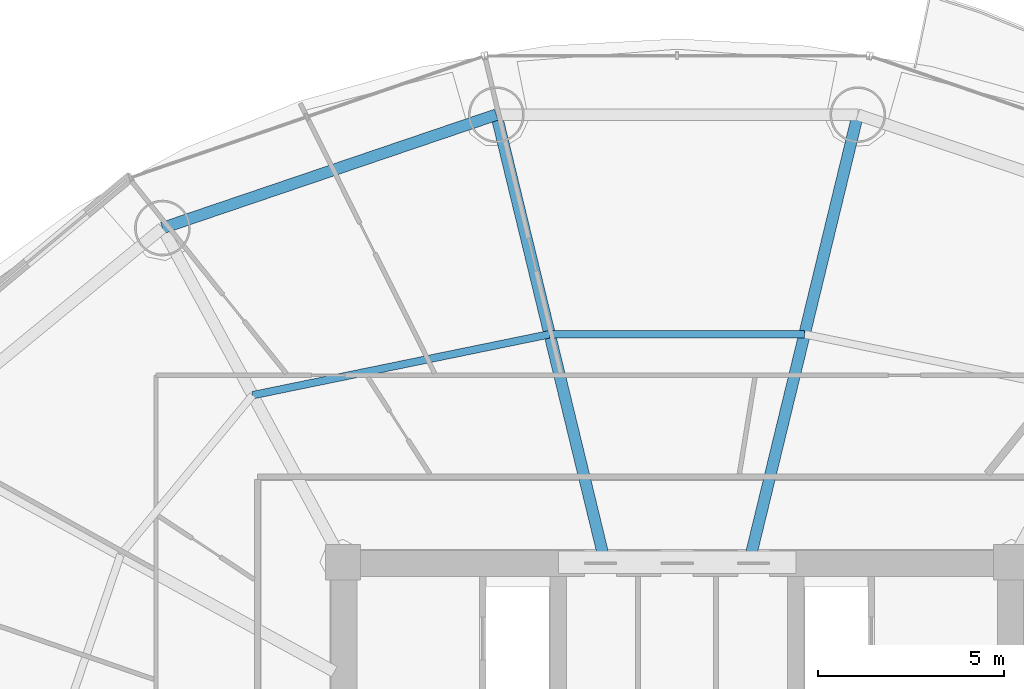
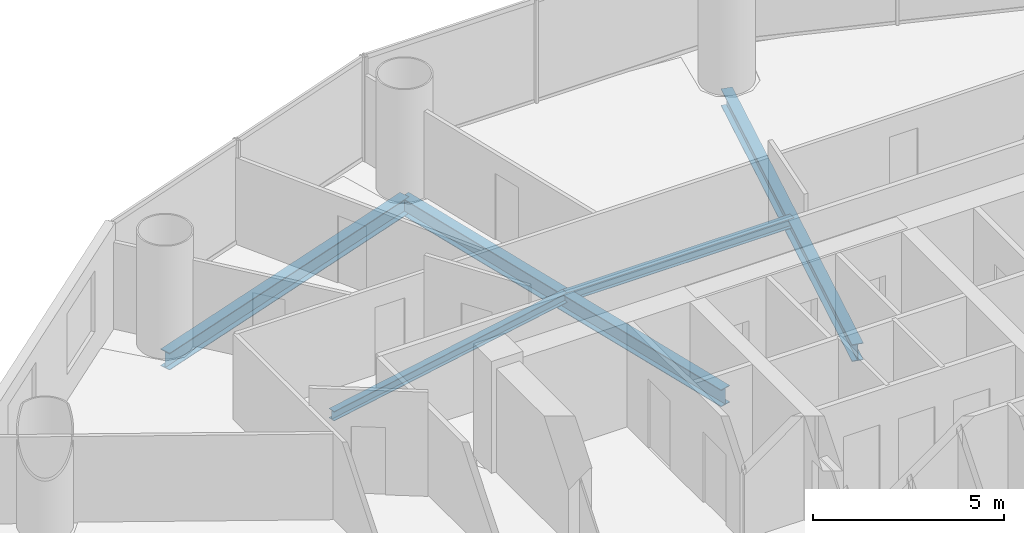
# One storey, part 17 of 29: 5 beams.
"""IFC4 building model written with IfcOpenShell, lengths in metres."""

import ifcopenshell
import ifcopenshell.guid

model = None  # the IFC model being written
_history = None  # IfcOwnerHistory: only IFC2X3 demands one
_inside = {}  # id of a spatial element -> (the spatial element, [elements in it])
_under = {}  # id of a project, library or spatial element -> (it, [spatial elements below it])
_declared = {}  # id of a project -> (the project, [libraries it declares])
_typed = {}  # id of a type object -> (the type object, [elements of that type])
_made_of = {}  # id of a material, layer set ... -> (it, [elements and type objects made of it])


def new_model(schema):
    """Start an empty IFC model of exactly this schema.

    Asked for "IFC4X3", IfcOpenShell would pick the latest addendum, in which some entities
    have other attributes; the version numbers below select the first issue.
    IFC2X3 requires an IfcOwnerHistory on every rooted entity: one is made here for all.
    """
    global model, _history
    if schema == "IFC4X3":
        model = ifcopenshell.file(schema_version=(4, 3, 0, 0))
    else:
        model = ifcopenshell.file(schema=schema)
    _inside.clear()
    _under.clear()
    _declared.clear()
    _typed.clear()
    _made_of.clear()
    _history = None
    if model.schema == "IFC2X3":
        org = make("IfcOrganization", Name="unknown")
        user = make(
            "IfcPersonAndOrganization",
            ThePerson=make("IfcPerson", FamilyName="unknown"),
            TheOrganization=org,
        )
        app = make(
            "IfcApplication",
            ApplicationDeveloper=org,
            Version="unknown",
            ApplicationFullName="unknown",
            ApplicationIdentifier="unknown",
        )
        _history = make(
            "IfcOwnerHistory",
            OwningUser=user,
            OwningApplication=app,
            ChangeAction="ADDED",
            CreationDate=0,
        )
    return model


def make(cls, **values):
    """One entity of the class cls with the attributes given. An attribute that is None is left unset."""
    return model.create_entity(
        cls, **{name: value for name, value in values.items() if value is not None}
    )


def rooted(cls, **values):
    """An entity with a GlobalId (a new one), such as an element, a storey or a relation."""
    return make(cls, GlobalId=ifcopenshell.guid.new(), OwnerHistory=_history, **values)


def si_unit(unit_type, name, prefix=None):
    """IfcSIUnit, for example si_unit("LENGTHUNIT", "METRE", prefix="MILLI")."""
    return make("IfcSIUnit", UnitType=unit_type, Prefix=prefix, Name=name)


def assignment(units):
    """IfcUnitAssignment: the units of a project."""
    return None if units is None else make("IfcUnitAssignment", Units=units)


def point(xyz):
    """IfcCartesianPoint."""
    return None if xyz is None else make("IfcCartesianPoint", Coordinates=xyz)


def direction(xyz):
    """IfcDirection."""
    return None if xyz is None else make("IfcDirection", DirectionRatios=xyz)


def frame(location, z_axis=None, x_axis=None):
    """IfcAxis2Placement3D, a coordinate frame: its origin and axes. An axis left out is left unset."""
    return make(
        "IfcAxis2Placement3D",
        Location=point(location),
        Axis=direction(z_axis),
        RefDirection=direction(x_axis),
    )


def frame_2d(location, x_axis=None):
    """IfcAxis2Placement2D, a coordinate frame in the plane: its origin and x axis."""
    return make(
        "IfcAxis2Placement2D", Location=point(location), RefDirection=direction(x_axis)
    )


def origin():
    """The frame at (0, 0, 0) with its axes left unset."""
    return frame((0.0, 0.0, 0.0))


def origin_2d():
    """The frame at (0, 0) in the plane with its x axis left unset."""
    return frame_2d((0.0, 0.0))


def place(relative_to, where):
    """IfcLocalPlacement: puts the frame where relative to a parent placement (None: the world)."""
    return make(
        "IfcLocalPlacement", PlacementRelTo=relative_to, RelativePlacement=where
    )


def context(
    kind, dimensions, precision=None, world=None, true_north=None, identifier=None
):
    """IfcGeometricRepresentationContext, for example the 3D "Model" context."""
    return make(
        "IfcGeometricRepresentationContext",
        ContextIdentifier=identifier,
        ContextType=kind,
        CoordinateSpaceDimension=dimensions,
        Precision=precision,
        WorldCoordinateSystem=world,
        TrueNorth=true_north,
    )


def subcontext(parent, identifier, kind, view, scale=None):
    """IfcGeometricRepresentationSubContext, for example "Body" below "Model"."""
    return make(
        "IfcGeometricRepresentationSubContext",
        ContextIdentifier=identifier,
        ContextType=kind,
        ParentContext=parent,
        TargetScale=scale,
        TargetView=view,
    )


def project(units=None, contexts=None):
    """IfcProject with its units and contexts."""
    return rooted(
        "IfcProject",
        Name="project",
        RepresentationContexts=contexts,
        UnitsInContext=assignment(units),
    )


def spatial(cls, under=None, at=None, **own):
    """A site, building, storey or space (cls), placed at a placement, below another one or the project."""
    s = rooted(cls, ObjectPlacement=at, **own)
    if under is not None:
        _under.setdefault(under.id(), (under, []))[1].append(s)
    return s


def profile(cls, at=None, kind="AREA", **sizes):
    """A parametric profile (cls). Its sizes go by their IFC names, for example OverallWidth=200.0."""
    return make(cls, ProfileType=kind, Position=at, **sizes)


def i_section(**sizes):
    """IfcIShapeProfileDef."""
    return profile("IfcIShapeProfileDef", **sizes)


def extrude(swept, where, along, depth):
    """IfcExtrudedAreaSolid: the profile swept, set in the frame where, extruded along a direction by depth."""
    return make(
        "IfcExtrudedAreaSolid",
        SweptArea=swept,
        Position=where,
        ExtrudedDirection=direction(along),
        Depth=depth,
    )


def shape(context_of_items, identifier, shape_type, items):
    """IfcShapeRepresentation: the items that make up one representation, for example the "Body"."""
    return make(
        "IfcShapeRepresentation",
        ContextOfItems=context_of_items,
        RepresentationIdentifier=identifier,
        RepresentationType=shape_type,
        Items=items,
    )


def material(Name=None, Category=None):
    """IfcMaterial."""
    return make("IfcMaterial", Name=Name, Category=Category)


def material_profile(
    of_material, cross_section, Name=None, Category=None, Priority=None
):
    """IfcMaterialProfile: a cross section and its material."""
    return make(
        "IfcMaterialProfile",
        Name=Name,
        Material=of_material,
        Profile=cross_section,
        Priority=Priority,
        Category=Category,
    )


def profile_set(profiles, Name=None, composite=None):
    """IfcMaterialProfileSet."""
    return make(
        "IfcMaterialProfileSet",
        Name=Name,
        MaterialProfiles=profiles,
        CompositeProfile=composite,
    )


def made_of(thing, what):
    """Note that an element or type object is made of a material, layer set ...; save() writes the relation."""
    if what is not None:
        _made_of.setdefault(what.id(), (what, []))[1].append(thing)
    return thing


def type_object(cls, material=None, **own):
    """A type object (cls), such as IfcWallType, which elements share."""
    return made_of(rooted(cls, **own), material)


def element(
    cls,
    number,
    at=None,
    inside=None,
    cuts=None,
    type_object=None,
    material=None,
    context=None,
    identifier="Body",
    shape_type=None,
    held_by="IfcProductDefinitionShape",
    body=None,
    shapes=None,
    **own,
):
    """One element of the class cls, such as IfcWall. Its Tag is "e" and its number.

    at: its placement. inside: the storey or other place that contains it. cuts: it is an
    opening in that element (IfcRelVoidsElement). A single representation is given by context,
    identifier, shape_type and body (its items); several are given by shapes. held_by: the class
    of the entity that holds the representations. save() writes the other relations.
    """
    e = rooted(cls, Tag="e%d" % number, ObjectPlacement=at, **own)
    if body is not None:
        shapes = [shape(context, identifier, shape_type, body)]
    if shapes is not None:
        e.Representation = make(held_by, Representations=shapes)
    if inside is not None:
        _inside.setdefault(inside.id(), (inside, []))[1].append(e)
    if cuts is not None:
        rooted(
            "IfcRelVoidsElement", RelatingBuildingElement=cuts, RelatedOpeningElement=e
        )
    if type_object is not None:
        _typed.setdefault(type_object.id(), (type_object, []))[1].append(e)
    return made_of(e, material)


def aggregate(whole, parts):
    """IfcRelAggregates: a whole, such as a stair, and the parts it consists of."""
    return rooted("IfcRelAggregates", RelatingObject=whole, RelatedObjects=parts)


def save(model, path):
    """Write the relations noted so far, then the file.

    IfcRelAggregates (storeys below a building ...), IfcRelContainedInSpatialStructure (elements
    in a storey), IfcRelDefinesByType, IfcRelAssociatesMaterial and IfcRelDeclares: one each for
    every whole, place, type object, material and project.
    """
    for whole, parts in _under.values():
        aggregate(whole, parts)
    for where, things in _inside.values():
        rooted(
            "IfcRelContainedInSpatialStructure",
            RelatedElements=things,
            RelatingStructure=where,
        )
    for kind, things in _typed.values():
        rooted("IfcRelDefinesByType", RelatedObjects=things, RelatingType=kind)
    for what, things in _made_of.values():
        rooted("IfcRelAssociatesMaterial", RelatedObjects=things, RelatingMaterial=what)
    for by, libraries in _declared.values():
        rooted("IfcRelDeclares", RelatingContext=by, RelatedDefinitions=libraries)
    model.write(path)


model = new_model("IFC4")

# Units and contexts
model_context = context("Model", 3, precision=1e-05, world=origin(), true_north=direction((-0.2419218956, 0.970295726276)))
body_context = subcontext(model_context, "Body", "Model", "MODEL_VIEW")
ifc_project = project(units=[si_unit("LENGTHUNIT", "METRE"), si_unit("AREAUNIT", "SQUARE_METRE"), si_unit("VOLUMEUNIT", "CUBIC_METRE"), si_unit("PLANEANGLEUNIT", "RADIAN"), si_unit("MASSUNIT", "GRAM", prefix="KILO")], contexts=[model_context])

# Site, building, storey
site_placement = place(None, origin())
site = spatial("IfcSite", under=ifc_project, at=site_placement, CompositionType="ELEMENT")
building_placement = place(site_placement, origin())
building = spatial("IfcBuilding", under=site, at=building_placement, Name="Cobrevalo Terracotta Tower", CompositionType="ELEMENT")
storey_placement = place(building_placement, frame((0.0, 0.0, 115.800048828125)))
storey = spatial("IfcBuildingStorey", under=building, at=storey_placement, Name="L30", CompositionType="ELEMENT", Elevation=115.800048828125)

# Beams
ifc_material = material(Name="Steel S355", Category="steel")
ifc_material_profile_1 = material_profile(ifc_material, i_section(OverallWidth=0.31201171875, OverallDepth=0.54296875, WebThickness=0.0126953125, FlangeThickness=0.020263671875, at=origin_2d()), Name="W 530x150")
ifc_profile_set_1 = profile_set([ifc_material_profile_1], Name="Steel S355")
beam_type_1 = type_object("IfcBeamType", Name="Structural Beam W 530x150 (Steel S355)", PredefinedType="BEAM", material=ifc_profile_set_1)
for number, where, z_axis, x_axis, name in (
    (1, (42.867431640625, 46.857177734375, -0.546630859375), (-0.235827379387, -0.971794961467, 0.0), (0.971794961467, -0.235827379387, 0.0), "L30 radial floor girder 04"),
    (2, (33.132568359375, 46.857177734375, -0.546630859375), (0.235827379387, -0.971794961467, 0.0), (0.971794961467, 0.235827379387, 0.0), "L30 radial floor girder 05"),
):
    element("IfcBeam", number, at=place(storey_placement, frame(where, z_axis=z_axis, x_axis=x_axis)), inside=storey, type_object=beam_type_1, Name=name, PredefinedType="BEAM", context=body_context, shape_type="SweptSolid", body=[
        extrude(i_section(OverallWidth=0.31201171875, OverallDepth=0.54296875, WebThickness=0.0126953125, FlangeThickness=0.020263671875, at=origin_2d()), origin(), (0.0, 0.0, 1.0), 12.17041015625),
    ])
ifc_material_profile_2 = material_profile(ifc_material, i_section(OverallWidth=0.2041015625, OverallDepth=0.305908203125, WebThickness=0.008544921875, FlangeThickness=0.0146484375, at=origin_2d()), Name="W 310x67")
ifc_profile_set_2 = profile_set([ifc_material_profile_2], Name="Steel S355")
beam_type_2 = type_object("IfcBeamType", Name="Structural Joist W 310x67 (Steel S355)", PredefinedType="JOIST", material=ifc_profile_set_2)
beam_1_placement = place(storey_placement, frame((41.432373046875, 40.943603515625, -0.427978515625), z_axis=(-1.0, 0.0, 0.0), x_axis=(0.0, -1.0, 0.0)))
element("IfcBeam", 3, at=beam_1_placement, inside=storey, type_object=beam_type_2, Name="L30 circumferential secondary floor joist 04", PredefinedType="JOIST", context=body_context, shape_type="SweptSolid", body=[
    extrude(i_section(OverallWidth=0.2041015625, OverallDepth=0.305908203125, WebThickness=0.008544921875, FlangeThickness=0.0146484375, at=origin_2d()), origin(), (0.0, 0.0, 1.0), 6.86474609375),
])
beam_2_placement = place(storey_placement, frame((34.567626953125, 40.943603515625, -0.427978515625), z_axis=(-0.979574469315, -0.201081722357, 0.0), x_axis=(0.201081722357, -0.979574469315, 0.0)))
element("IfcBeam", 4, at=beam_2_placement, inside=storey, type_object=beam_type_2, Name="L30 circumferential secondary floor joist 05", PredefinedType="JOIST", context=body_context, shape_type="SweptSolid", body=[
    extrude(i_section(OverallWidth=0.2041015625, OverallDepth=0.305908203125, WebThickness=0.008544921875, FlangeThickness=0.0146484375, at=origin_2d()), origin(), (0.0, 0.0, 1.0), 8.1650390625),
])
ifc_material_profile_3 = material_profile(ifc_material, i_section(OverallWidth=0.31201171875, OverallDepth=0.54296875, WebThickness=0.0126953125, FlangeThickness=0.020263671875, at=origin_2d()), Name="W 530x150")
ifc_profile_set_3 = profile_set([ifc_material_profile_3], Name="Steel S355")
beam_type_3 = type_object("IfcBeamType", Name="Structural Spandrel W 530x150 (Steel S355)", PredefinedType="SPANDREL", material=ifc_profile_set_3)
beam_3_placement = place(storey_placement, frame((33.132568359375, 46.857177734375, -0.546630859375), z_axis=(-0.946910528816, -0.32149720126, 0.0), x_axis=(0.32149720126, -0.946910528816, 0.0)))
element("IfcBeam", 5, at=beam_3_placement, inside=storey, type_object=beam_type_3, Name="L30 perimeter ring spandrel 05", PredefinedType="SPANDREL", context=body_context, shape_type="SweptSolid", body=[
    extrude(i_section(OverallWidth=0.31201171875, OverallDepth=0.54296875, WebThickness=0.0126953125, FlangeThickness=0.020263671875, at=origin_2d()), origin(), (0.0, 0.0, 1.0), 9.498291015625),
])

save(model, "model.ifc")
